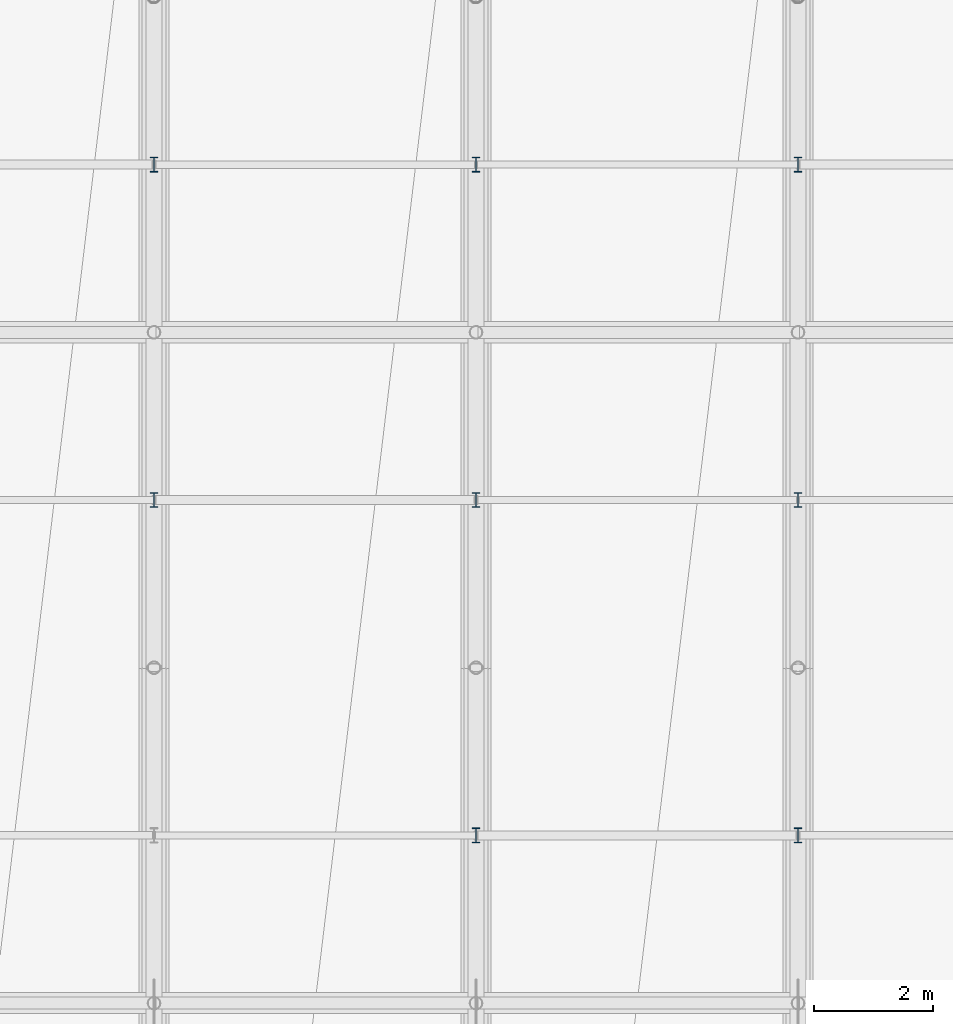
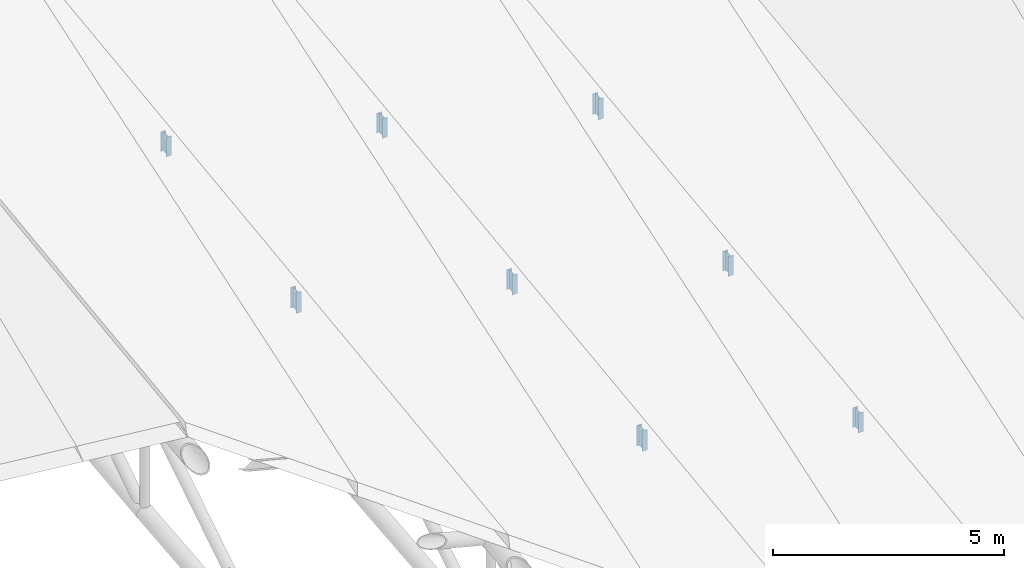
# One storey, part 71 of 109: 8 members.
"""IFC4 building model written with IfcOpenShell, lengths in metres."""

from ifc_helpers import new_model, si_unit, direction, frame, origin, origin_2d, place, context, subcontext, project, spatial, i_section, extrude, material, material_profile, profile_set, type_object, element, save


model = new_model("IFC4")

# Units and contexts
model_context = context("Model", 3, precision=1e-05, world=origin(), true_north=direction((0.0, 1.0)))
body_context = subcontext(model_context, "Body", "Model", "MODEL_VIEW")
ifc_project = project(units=[si_unit("LENGTHUNIT", "METRE"), si_unit("AREAUNIT", "SQUARE_METRE"), si_unit("VOLUMEUNIT", "CUBIC_METRE"), si_unit("PLANEANGLEUNIT", "RADIAN"), si_unit("MASSUNIT", "GRAM", prefix="KILO")], contexts=[model_context])

# Site, building, storey
site_placement = place(None, origin())
site = spatial("IfcSite", under=ifc_project, at=site_placement, CompositionType="ELEMENT")
building_placement = place(site_placement, origin())
building = spatial("IfcBuilding", under=site, at=building_placement, Name="Suirenkawa Promenade Aquatics Centre", CompositionType="ELEMENT")
storey_placement = place(building_placement, frame((0.0, 0.0, 22.800048828125)))
storey = spatial("IfcBuildingStorey", under=building, at=storey_placement, Name="ROOF", CompositionType="ELEMENT", Elevation=22.800048828125)

# Members
ifc_material = material(Name="Steel IS 2062 E350 (Grade 350)", Category="steel")
ifc_material_profile = material_profile(ifc_material, i_section(OverallWidth=0.125, OverallDepth=0.25, WebThickness=0.007080078125, FlangeThickness=0.012939453125, at=origin_2d()), Name="ISMB 250", Category="steel")
ifc_profile_set = profile_set([ifc_material_profile], Name="Steel IS 2062 E350 (Grade 350)")
member_type = type_object("IfcMemberType", Name="MT-WEB-CHS168", PredefinedType="BRACE", material=ifc_profile_set)
member_1_placement = place(storey_placement, frame((117.0, 81.337890625, -7.031982421875), z_axis=(0.0, 0.0, 1.0), x_axis=(1.0, 0.0, 0.0)))
element("IfcMember", 1, at=member_1_placement, inside=storey, type_object=member_type, Name="ROOF TRUSS Purlin cleat post TD-03 MB-2132", PredefinedType="BRACE", context=body_context, shape_type="SweptSolid", body=[
    extrude(i_section(OverallWidth=0.125, OverallDepth=0.25, WebThickness=0.007080078125, FlangeThickness=0.012939453125, at=origin_2d()), origin(), (0.0, 0.0, 1.0), 0.5458984375),
])
member_2_placement = place(storey_placement, frame((117.0, 86.962890625, -6.30712890625), z_axis=(0.0, 0.0, 1.0), x_axis=(1.0, 0.0, 0.0)))
element("IfcMember", 2, at=member_2_placement, inside=storey, type_object=member_type, Name="ROOF TRUSS Purlin cleat post TD-03 MB-2134", PredefinedType="BRACE", context=body_context, shape_type="SweptSolid", body=[
    extrude(i_section(OverallWidth=0.125, OverallDepth=0.25, WebThickness=0.007080078125, FlangeThickness=0.012939453125, at=origin_2d()), origin(), (0.0, 0.0, 1.0), 0.51904296875),
])
member_3_placement = place(storey_placement, frame((122.39990234375, 75.712890625, -9.156982421875), z_axis=(0.0, 0.0, 1.0), x_axis=(1.0, 0.0, 0.0)))
element("IfcMember", 3, at=member_3_placement, inside=storey, type_object=member_type, Name="ROOF TRUSS Purlin cleat post TD-03 MB-2166", PredefinedType="BRACE", context=body_context, shape_type="SweptSolid", body=[
    extrude(i_section(OverallWidth=0.125, OverallDepth=0.25, WebThickness=0.007080078125, FlangeThickness=0.012939453125, at=origin_2d()), origin(), (0.0, 0.0, 1.0), 0.5458984375),
])
member_4_placement = place(storey_placement, frame((122.39990234375, 81.337890625, -8.43212890625), z_axis=(0.0, 0.0, 1.0), x_axis=(1.0, 0.0, 0.0)))
element("IfcMember", 4, at=member_4_placement, inside=storey, type_object=member_type, Name="ROOF TRUSS Purlin cleat post TD-03 MB-2168", PredefinedType="BRACE", context=body_context, shape_type="SweptSolid", body=[
    extrude(i_section(OverallWidth=0.125, OverallDepth=0.25, WebThickness=0.007080078125, FlangeThickness=0.012939453125, at=origin_2d()), origin(), (0.0, 0.0, 1.0), 0.51904296875),
])
member_5_placement = place(storey_placement, frame((122.39990234375, 86.962890625, -7.70703125), z_axis=(0.0, 0.0, 1.0), x_axis=(1.0, 0.0, 0.0)))
element("IfcMember", 5, at=member_5_placement, inside=storey, type_object=member_type, Name="ROOF TRUSS Purlin cleat post TD-03 MB-2170", PredefinedType="BRACE", context=body_context, shape_type="SweptSolid", body=[
    extrude(i_section(OverallWidth=0.125, OverallDepth=0.25, WebThickness=0.007080078125, FlangeThickness=0.012939453125, at=origin_2d()), origin(), (0.0, 0.0, 1.0), 0.52099609375),
])
member_6_placement = place(storey_placement, frame((127.800048828125, 75.712890625, -10.55712890625), z_axis=(0.0, 0.0, 1.0), x_axis=(1.0, 0.0, 0.0)))
element("IfcMember", 6, at=member_6_placement, inside=storey, type_object=member_type, Name="ROOF TRUSS Purlin cleat post TD-03 MB-2202", PredefinedType="BRACE", context=body_context, shape_type="SweptSolid", body=[
    extrude(i_section(OverallWidth=0.125, OverallDepth=0.25, WebThickness=0.007080078125, FlangeThickness=0.012939453125, at=origin_2d()), origin(), (0.0, 0.0, 1.0), 0.51904296875),
])
member_7_placement = place(storey_placement, frame((127.800048828125, 81.337890625, -9.83203125), z_axis=(0.0, 0.0, 1.0), x_axis=(1.0, 0.0, 0.0)))
element("IfcMember", 7, at=member_7_placement, inside=storey, type_object=member_type, Name="ROOF TRUSS Purlin cleat post TD-03 MB-2204", PredefinedType="BRACE", context=body_context, shape_type="SweptSolid", body=[
    extrude(i_section(OverallWidth=0.125, OverallDepth=0.25, WebThickness=0.007080078125, FlangeThickness=0.012939453125, at=origin_2d()), origin(), (0.0, 0.0, 1.0), 0.52099609375),
])
member_8_placement = place(storey_placement, frame((127.800048828125, 86.962890625, -9.10693359375), z_axis=(0.0, 0.0, 1.0), x_axis=(1.0, 0.0, 0.0)))
element("IfcMember", 8, at=member_8_placement, inside=storey, type_object=member_type, Name="ROOF TRUSS Purlin cleat post TD-03 MB-2206", PredefinedType="BRACE", context=body_context, shape_type="SweptSolid", body=[
    extrude(i_section(OverallWidth=0.125, OverallDepth=0.25, WebThickness=0.007080078125, FlangeThickness=0.012939453125, at=origin_2d()), origin(), (0.0, 0.0, 1.0), 0.5458984375),
])

save(model, "model.ifc")
